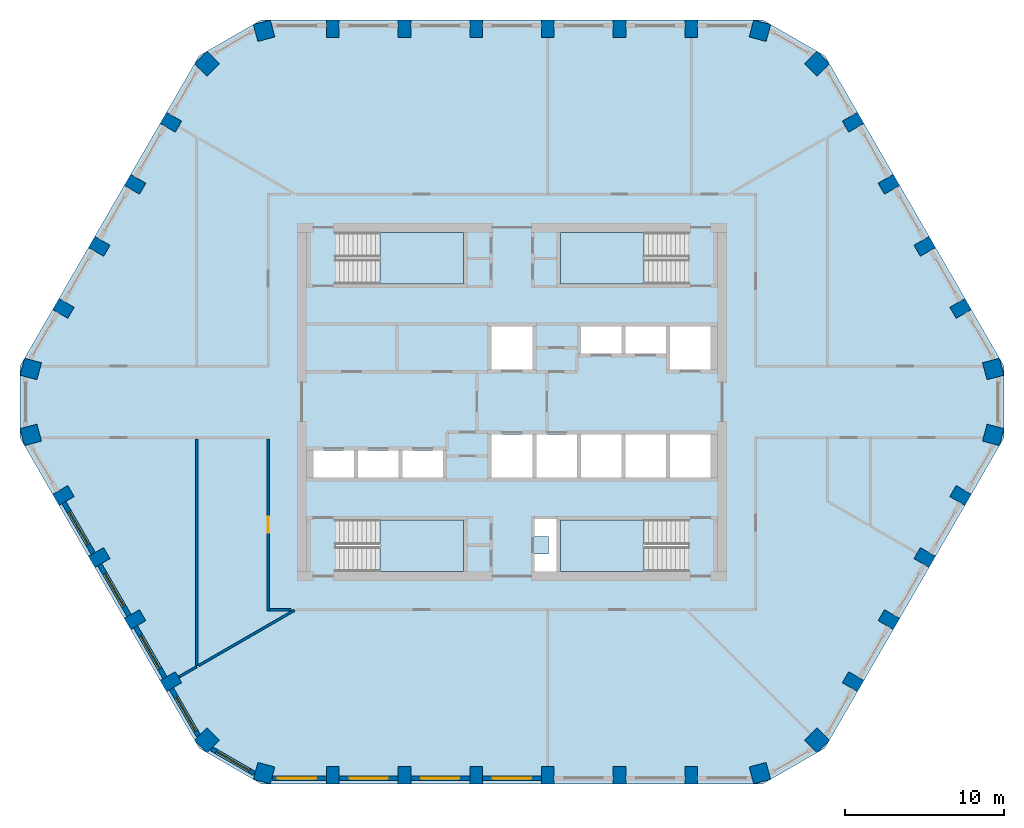
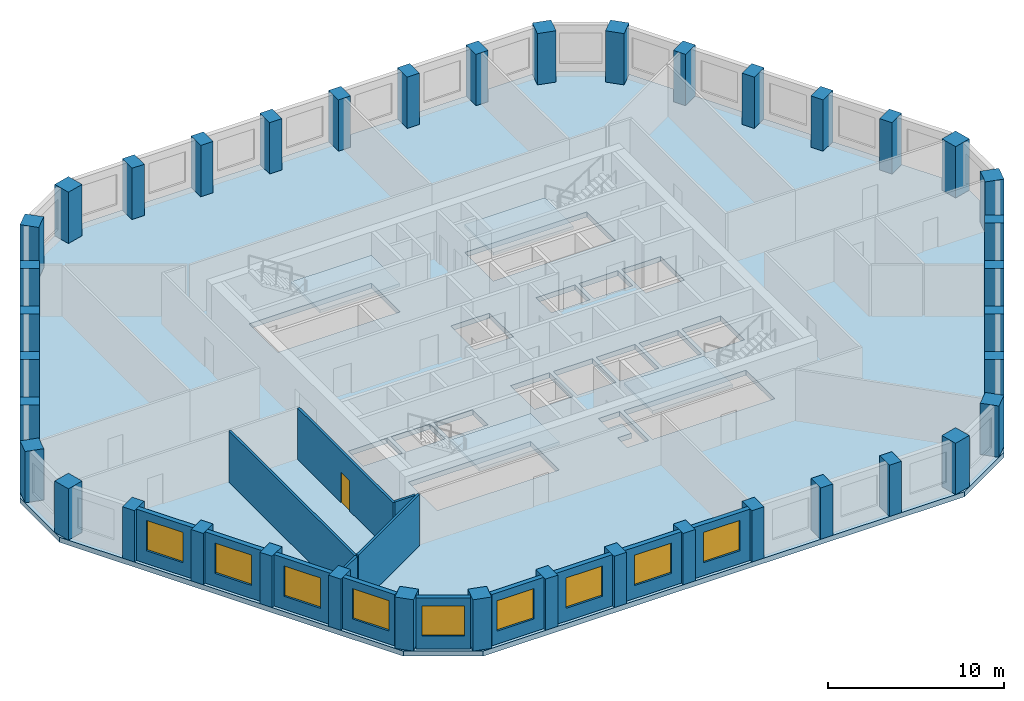
# One storey, part 1 of 8: 40 columns, 14 walls, 9 windows, 5 slabs, 1 door, 10 openings, 4 elements without a shape of their own.
"""IFC4 building model written with IfcOpenShell, lengths in metres."""

from ifc_helpers import new_model, si_unit, direction, frame, frame_2d, origin, origin_2d, place, context, subcontext, project, spatial, polyline, rectangle, outline, extrude, material, layer, layer_set, material_profile, profile_set, type_object, element, fill, aggregate, save


model = new_model("IFC4")

# Units and contexts
model_context = context("Model", 3, precision=1e-05, world=origin(), true_north=direction((0.0, 1.0)))
body_context = subcontext(model_context, "Body", "Model", "MODEL_VIEW")
ifc_project = project(units=[si_unit("LENGTHUNIT", "METRE"), si_unit("AREAUNIT", "SQUARE_METRE"), si_unit("VOLUMEUNIT", "CUBIC_METRE"), si_unit("PLANEANGLEUNIT", "RADIAN"), si_unit("MASSUNIT", "GRAM", prefix="KILO")], contexts=[model_context])

# Site, building, storey
site_placement = place(None, origin())
site = spatial("IfcSite", under=ifc_project, at=site_placement, CompositionType="ELEMENT")
building_placement = place(site_placement, origin())
building = spatial("IfcBuilding", under=site, at=building_placement, Name="Dhurran Vertical Campus", CompositionType="ELEMENT")
storey_placement = place(building_placement, frame((0.0, 0.0, 222.89990234375)))
storey = spatial("IfcBuildingStorey", under=building, at=storey_placement, Name="L55", CompositionType="ELEMENT", Elevation=222.89990234375)

# Columns
ifc_material_1 = material(Name="Concrete C50/60", Category="concrete")
ifc_material_profile_1 = material_profile(ifc_material_1, rectangle(XDim=1.10009765625, YDim=1.10009765625, at=origin_2d()), Name="RC 1100x1100")
ifc_profile_set_1 = profile_set([ifc_material_profile_1], Name="Concrete C50/60")
column_type_1 = type_object("IfcColumnType", Name="FR COL RC 1100x1100 C50/60", PredefinedType="COLUMN", material=ifc_profile_set_1)
for number, where, z_axis, x_axis, name in (
    (1, (-15.569580078125, -23.31201171875, 0.0), (0.0, 0.0, 1.0), (0.965925826289, -0.258819045103, 0.0), "Perimeter pier PP4.00"),
    (2, (15.569580078125, -23.31201171875, 0.0), (0.0, 0.0, 1.0), (0.965925826289, 0.258819045103, 0.0), "Perimeter pier PP4.07"),
    (3, (19.154052734375, -21.242431640625, 0.0), (0.0, 0.0, 1.0), (0.707106781187, 0.707106781187, 0.0), "Perimeter pier PP4.08"),
    (4, (30.223388671875, -2.069580078125, 0.0), (0.0, 0.0, 1.0), (0.258819045103, 0.965925826289, 0.0), "Perimeter pier PP4.13"),
    (5, (30.223388671875, 2.069580078125, 0.0), (0.0, 0.0, 1.0), (-0.258819045103, 0.965925826289, 0.0), "Perimeter pier PP4.14"),
    (6, (19.154052734375, 21.242431640625, 0.0), (0.0, 0.0, 1.0), (-0.707106781187, 0.707106781187, 0.0), "Perimeter pier PP4.19"),
    (7, (15.569580078125, 23.31201171875, 0.0), (0.0, 0.0, 1.0), (-0.965925826289, 0.258819045103, 0.0), "Perimeter pier PP4.20"),
    (8, (-15.569580078125, 23.31201171875, 0.0), (0.0, 0.0, 1.0), (-0.965925826289, -0.258819045103, 0.0), "Perimeter pier PP4.27"),
    (9, (-19.154052734375, 21.242431640625, 0.0), (0.0, 0.0, 1.0), (-0.707106781187, -0.707106781187, 0.0), "Perimeter pier PP4.28"),
    (10, (-30.223388671875, 2.069580078125, 0.0), (0.0, 0.0, 1.0), (-0.258819045103, -0.965925826289, 0.0), "Perimeter pier PP4.33"),
    (11, (-30.223388671875, -2.069580078125, 0.0), (0.0, 0.0, 1.0), (0.258819045103, -0.965925826289, 0.0), "Perimeter pier PP4.34"),
    (12, (-19.154052734375, -21.242431640625, 0.0), (0.0, 0.0, 1.0), (0.707106781187, -0.707106781187, 0.0), "Perimeter pier PP4.39"),
):
    element("IfcColumn", number, at=place(storey_placement, frame(where, z_axis=z_axis, x_axis=x_axis)), inside=storey, type_object=column_type_1, Name=name, PredefinedType="COLUMN", context=body_context, shape_type="SweptSolid", body=[
        extrude(rectangle(XDim=1.10009765625, YDim=1.10009765625, at=origin_2d()), origin(), (0.0, 0.0, 1.0), 3.550048828125),
    ])
ifc_material_2 = material(Name="Concrete C50/60", Category="concrete")
ifc_material_profile_2 = material_profile(ifc_material_2, rectangle(XDim=0.800048828125, YDim=1.10009765625, at=origin_2d()), Name="RC 800x1100")
ifc_profile_set_2 = profile_set([ifc_material_profile_2], Name="Concrete C50/60")
column_type_2 = type_object("IfcColumnType", Name="FR COL RC 800x1100 C50/60", PredefinedType="COLUMN", material=ifc_profile_set_2)
for number, where, z_axis, x_axis, name in (
    (13, (-11.25, -23.435546875, 0.0), (0.0, 0.0, 1.0), (1.0, 0.0, 0.0), "Perimeter pier PP4.01"),
    (14, (-6.75, -23.435546875, 0.0), (0.0, 0.0, 1.0), (1.0, 0.0, 0.0), "Perimeter pier PP4.02"),
    (15, (-2.25, -23.435546875, 0.0), (0.0, 0.0, 1.0), (1.0, 0.0, 0.0), "Perimeter pier PP4.03"),
    (16, (2.25, -23.435546875, 0.0), (0.0, 0.0, 1.0), (1.0, 0.0, 0.0), "Perimeter pier PP4.04"),
    (17, (6.75, -23.435546875, 0.0), (0.0, 0.0, 1.0), (1.0, 0.0, 0.0), "Perimeter pier PP4.05"),
    (18, (11.25, -23.435546875, 0.0), (0.0, 0.0, 1.0), (1.0, 0.0, 0.0), "Perimeter pier PP4.06"),
    (19, (21.4208984375, -17.5634765625, 0.0), (0.0, 0.0, 1.0), (0.5, 0.866025403784, 0.0), "Perimeter pier PP4.09"),
    (20, (23.6708984375, -13.666259765625, 0.0), (0.0, 0.0, 1.0), (0.5, 0.866025403784, 0.0), "Perimeter pier PP4.10"),
    (21, (25.9208984375, -9.769287109375, 0.0), (0.0, 0.0, 1.0), (0.5, 0.866025403784, 0.0), "Perimeter pier PP4.11"),
    (22, (28.1708984375, -5.8720703125, 0.0), (0.0, 0.0, 1.0), (0.5, 0.866025403784, 0.0), "Perimeter pier PP4.12"),
    (23, (28.1708984375, 5.8720703125, 0.0), (0.0, 0.0, 1.0), (-0.5, 0.866025403784, 0.0), "Perimeter pier PP4.15"),
    (24, (25.9208984375, 9.769287109375, 0.0), (0.0, 0.0, 1.0), (-0.5, 0.866025403784, 0.0), "Perimeter pier PP4.16"),
    (25, (23.6708984375, 13.666259765625, 0.0), (0.0, 0.0, 1.0), (-0.5, 0.866025403784, 0.0), "Perimeter pier PP4.17"),
    (26, (21.4208984375, 17.5634765625, 0.0), (0.0, 0.0, 1.0), (-0.5, 0.866025403784, 0.0), "Perimeter pier PP4.18"),
    (27, (11.25, 23.435546875, 0.0), (0.0, 0.0, 1.0), (-1.0, 0.0, 0.0), "Perimeter pier PP4.21"),
    (28, (6.75, 23.435546875, 0.0), (0.0, 0.0, 1.0), (-1.0, 0.0, 0.0), "Perimeter pier PP4.22"),
    (29, (2.25, 23.435546875, 0.0), (0.0, 0.0, 1.0), (-1.0, 0.0, 0.0), "Perimeter pier PP4.23"),
    (30, (-2.25, 23.435546875, 0.0), (0.0, 0.0, 1.0), (-1.0, 0.0, 0.0), "Perimeter pier PP4.24"),
    (31, (-6.75, 23.435546875, 0.0), (0.0, 0.0, 1.0), (-1.0, 0.0, 0.0), "Perimeter pier PP4.25"),
    (32, (-11.25, 23.435546875, 0.0), (0.0, 0.0, 1.0), (-1.0, 0.0, 0.0), "Perimeter pier PP4.26"),
    (33, (-21.4208984375, 17.5634765625, 0.0), (0.0, 0.0, 1.0), (-0.5, -0.866025403784, 0.0), "Perimeter pier PP4.29"),
    (34, (-23.6708984375, 13.666259765625, 0.0), (0.0, 0.0, 1.0), (-0.5, -0.866025403784, 0.0), "Perimeter pier PP4.30"),
    (35, (-25.9208984375, 9.769287109375, 0.0), (0.0, 0.0, 1.0), (-0.5, -0.866025403784, 0.0), "Perimeter pier PP4.31"),
    (36, (-28.1708984375, 5.8720703125, 0.0), (0.0, 0.0, 1.0), (-0.5, -0.866025403784, 0.0), "Perimeter pier PP4.32"),
    (37, (-28.1708984375, -5.8720703125, 0.0), (0.0, 0.0, 1.0), (0.5, -0.866025403784, 0.0), "Perimeter pier PP4.35"),
    (38, (-25.9208984375, -9.769287109375, 0.0), (0.0, 0.0, 1.0), (0.5, -0.866025403784, 0.0), "Perimeter pier PP4.36"),
    (39, (-23.6708984375, -13.666259765625, 0.0), (0.0, 0.0, 1.0), (0.5, -0.866025403784, 0.0), "Perimeter pier PP4.37"),
    (40, (-21.4208984375, -17.5634765625, 0.0), (0.0, 0.0, 1.0), (0.5, -0.866025403784, 0.0), "Perimeter pier PP4.38"),
):
    element("IfcColumn", number, at=place(storey_placement, frame(where, z_axis=z_axis, x_axis=x_axis)), inside=storey, type_object=column_type_2, Name=name, PredefinedType="COLUMN", context=body_context, shape_type="SweptSolid", body=[
        extrude(rectangle(XDim=0.800048828125, YDim=1.10009765625, at=origin_2d()), origin(), (0.0, 0.0, 1.0), 3.550048828125),
    ])

# Slab
ifc_material_3 = material(Name="Concrete C40/50", Category="concrete")
ifc_layer_1 = layer(ifc_material_3, 0.35009765625)
ifc_layer_set_1 = layer_set([ifc_layer_1], Name="Concrete C40/50")
slab_type_1 = type_object("IfcSlabType", Name="FR POST-TENSIONED FLAT SLAB 350", PredefinedType="FLOOR", material=ifc_layer_set_1)
slab_1_placement = place(storey_placement, frame((0.0, 0.0, -0.349853515625)))
element("IfcSlab", 41, at=slab_1_placement, inside=storey, type_object=slab_type_1, Name="Floor slab L55", PredefinedType="FLOOR", context=body_context, shape_type="SweptSolid", body=[
    extrude(outline(polyline([(-15.75, -23.985595703125), (15.75, -23.985595703125), (19.647216796875, -21.735595703125), (30.897216796875, -2.25), (30.897216796875, 2.25), (19.647216796875, 21.735595703125), (15.75, 23.985595703125), (-15.75, 23.985595703125), (-19.647216796875, 21.735595703125), (-30.897216796875, 2.25), (-30.897216796875, -2.25), (-19.647216796875, -21.735595703125), (-15.75, -23.985595703125)]), holes=[polyline([(-1.27490234375, 2.050048828125), (1.27490234375, 2.050048828125), (1.27490234375, 4.75), (-1.27490234375, 4.75), (-1.27490234375, 2.050048828125)]), polyline([(9.925048828125, 2.050048828125), (12.47509765625, 2.050048828125), (12.47509765625, 4.75), (9.925048828125, 4.75), (9.925048828125, 2.050048828125)]), polyline([(-1.27490234375, -4.75), (1.27490234375, -4.75), (1.27490234375, -2.050048828125), (-1.27490234375, -2.050048828125), (-1.27490234375, -4.75)]), polyline([(1.52490234375, -4.75), (4.074951171875, -4.75), (4.074951171875, -2.050048828125), (1.52490234375, -2.050048828125), (1.52490234375, -4.75)]), polyline([(4.324951171875, -4.75), (6.875, -4.75), (6.875, -2.050048828125), (4.324951171875, -2.050048828125), (4.324951171875, -4.75)]), polyline([(7.125, -4.75), (9.675048828125, -4.75), (9.675048828125, -2.050048828125), (7.125, -2.050048828125), (7.125, -4.75)]), polyline([(9.925048828125, -4.75), (12.47509765625, -4.75), (12.47509765625, -2.050048828125), (9.925048828125, -2.050048828125), (9.925048828125, -4.75)]), polyline([(4.324951171875, 3.050048828125), (6.875, 3.050048828125), (6.875, 4.75), (4.324951171875, 4.75), (4.324951171875, 3.050048828125)]), polyline([(7.125, 3.050048828125), (9.675048828125, 3.050048828125), (9.675048828125, 4.75), (7.125, 4.75), (7.125, 3.050048828125)]), polyline([(-12.47509765625, -4.75), (-9.925048828125, -4.75), (-9.925048828125, -3.050048828125), (-12.47509765625, -3.050048828125), (-12.47509765625, -4.75)]), polyline([(-9.675048828125, -4.75), (-7.125, -4.75), (-7.125, -3.050048828125), (-9.675048828125, -3.050048828125), (-9.675048828125, -4.75)]), polyline([(-6.875, -4.75), (-4.324951171875, -4.75), (-4.324951171875, -3.050048828125), (-6.875, -3.050048828125), (-6.875, -4.75)]), polyline([(-11.050048828125, 7.39990234375), (-3.050048828125, 7.39990234375), (-3.050048828125, 10.64990234375), (-11.050048828125, 10.64990234375), (-11.050048828125, 7.39990234375)]), polyline([(3.050048828125, 7.39990234375), (11.050048828125, 7.39990234375), (11.050048828125, 10.64990234375), (3.050048828125, 10.64990234375), (3.050048828125, 7.39990234375)]), polyline([(-11.050048828125, -10.64990234375), (-3.050048828125, -10.64990234375), (-3.050048828125, -7.39990234375), (-11.050048828125, -7.39990234375), (-11.050048828125, -10.64990234375)]), polyline([(3.050048828125, -10.64990234375), (11.050048828125, -10.64990234375), (11.050048828125, -7.39990234375), (3.050048828125, -7.39990234375), (3.050048828125, -10.64990234375)]), polyline([(2.800048828125, -10.64990234375), (1.39990234375, -10.64990234375), (1.39990234375, -9.550048828125), (2.300048828125, -9.550048828125), (2.300048828125, -8.449951171875), (1.39990234375, -8.449951171875), (1.39990234375, -7.35009765625), (2.800048828125, -7.35009765625), (2.800048828125, -10.64990234375)])]), origin(), (0.0, 0.0, 1.0), 0.349853515625),
])

# Stair, slab
ifc_material_4 = material(Name="Concrete C40/50", Category="concrete")
stair_type = type_object("IfcStairType", Name="co-ST-CORE", PredefinedType="HALF_TURN_STAIR", material=ifc_material_4)
stair_1_placement = place(storey_placement, origin())
stair_1 = element("IfcStair", 42, at=stair_1_placement, inside=storey, type_object=stair_type, Name="L55 Protected exit stair ST1", PredefinedType="HALF_TURN_STAIR")
ifc_material_5 = material(Name="Concrete C40/50", Category="concrete")
ifc_layer_2 = layer(ifc_material_5, 0.199951171875)
ifc_layer_set_2 = layer_set([ifc_layer_2], Name="Concrete C40/50")
slab_type_2 = type_object("IfcSlabType", Name="co-SL-LANDING", PredefinedType="LANDING", material=ifc_layer_set_2)
slab_2_placement = place(storey_placement, frame((0.0, 0.0, 1.75)))
slab_2 = element("IfcSlab", 43, at=slab_2_placement, type_object=slab_type_2, Name="ST1 landing 1", PredefinedType="LANDING", context=body_context, shape_type="SweptSolid", body=[
    extrude(outline(polyline([(-8.300048828125, 7.39990234375), (-3.050048828125, 7.39990234375), (-3.050048828125, 10.64990234375), (-8.300048828125, 10.64990234375), (-8.300048828125, 7.39990234375)])), origin(), (0.0, 0.0, 1.0), 0.2001953125),
])
aggregate(stair_1, [slab_2])

stair_2_placement = place(storey_placement, origin())
stair_2 = element("IfcStair", 44, at=stair_2_placement, inside=storey, type_object=stair_type, Name="L55 Protected exit stair ST2", PredefinedType="HALF_TURN_STAIR")
slab_3_placement = place(storey_placement, frame((0.0, 0.0, 1.75)))
slab_3 = element("IfcSlab", 45, at=slab_3_placement, type_object=slab_type_2, Name="ST2 landing 1", PredefinedType="LANDING", context=body_context, shape_type="SweptSolid", body=[
    extrude(outline(polyline([(8.300048828125, 10.64990234375), (3.050048828125, 10.64990234375), (3.050048828125, 7.39990234375), (8.300048828125, 7.39990234375), (8.300048828125, 10.64990234375)])), origin(), (0.0, 0.0, 1.0), 0.2001953125),
])
aggregate(stair_2, [slab_3])

stair_3_placement = place(storey_placement, origin())
stair_3 = element("IfcStair", 46, at=stair_3_placement, inside=storey, type_object=stair_type, Name="L55 Protected exit stair ST3", PredefinedType="HALF_TURN_STAIR")
slab_4_placement = place(storey_placement, frame((0.0, 0.0, 1.75)))
slab_4 = element("IfcSlab", 47, at=slab_4_placement, type_object=slab_type_2, Name="ST3 landing 1", PredefinedType="LANDING", context=body_context, shape_type="SweptSolid", body=[
    extrude(outline(polyline([(-8.300048828125, -10.64990234375), (-3.050048828125, -10.64990234375), (-3.050048828125, -7.39990234375), (-8.300048828125, -7.39990234375), (-8.300048828125, -10.64990234375)])), origin(), (0.0, 0.0, 1.0), 0.2001953125),
])
aggregate(stair_3, [slab_4])

stair_4_placement = place(storey_placement, origin())
stair_4 = element("IfcStair", 48, at=stair_4_placement, inside=storey, type_object=stair_type, Name="L55 Protected exit stair ST4", PredefinedType="HALF_TURN_STAIR")
slab_5_placement = place(storey_placement, frame((0.0, 0.0, 1.75)))
slab_5 = element("IfcSlab", 49, at=slab_5_placement, type_object=slab_type_2, Name="ST4 landing 1", PredefinedType="LANDING", context=body_context, shape_type="SweptSolid", body=[
    extrude(outline(polyline([(8.300048828125, -7.39990234375), (3.050048828125, -7.39990234375), (3.050048828125, -10.64990234375), (8.300048828125, -10.64990234375), (8.300048828125, -7.39990234375)])), origin(), (0.0, 0.0, 1.0), 0.2001953125),
])
aggregate(stair_4, [slab_5])

# Wall, opening, window
ifc_material_6 = material(Name="Precast concrete C50/60", Category="concrete")
ifc_layer_3 = layer(ifc_material_6, 0.300048828125)
ifc_layer_set_3 = layer_set([ifc_layer_3], Name="Precast concrete C50/60")
wall_type_1 = type_object("IfcWallType", Name="Precast spandrel wall 300", PredefinedType="SOLIDWALL", material=ifc_layer_set_3)
wall_1_placement = place(storey_placement, frame((-15.04638671875, -23.635498046875, 0.0), z_axis=(0.0, 0.0, 1.0), x_axis=(1.0, 0.0, 0.0)))
wall_1 = element("IfcWall", 50, at=wall_1_placement, inside=storey, type_object=wall_type_1, Name="EW1 L55.00", PredefinedType="SOLIDWALL", context=body_context, shape_type="SweptSolid", body=[
    extrude(rectangle(XDim=3.39599609375, YDim=0.300048828125, at=frame_2d((1.697998046875, 0.0))), origin(), (0.0, 0.0, 1.0), 3.550048828125),
])
opening_1_placement = place(wall_1_placement, frame((0.34619140625, 0.0, 0.89990234375)))
opening_1 = element("IfcOpeningElement", 51, at=opening_1_placement, cuts=wall_1, Name="Opening WT1", PredefinedType="OPENING", context=body_context, shape_type="SweptSolid", body=[
    extrude(rectangle(XDim=2.39990234375, YDim=2.10009765625, at=frame_2d((1.199951171875, 1.050048828125))), frame((0.0, 0.159912109375, 0.0), z_axis=(0.0, -1.0, 0.0), x_axis=(1.0, 0.0, 0.0)), (0.0, 0.0, 1.0), 0.320068359375),
])
ifc_material_7 = material(Name="Aluminium frame with solar-control glass", Category="aluminium")
window_type = type_object("IfcWindowType", Name="Punched window 2400 x 2100", PartitioningType="SINGLE_PANEL", PredefinedType="WINDOW", material=ifc_material_7)
window_1_placement = place(opening_1_placement, origin())
window_1 = element("IfcWindow", 52, at=window_1_placement, inside=storey, type_object=window_type, Name="WT1 L55.00", OverallHeight=2.10009765625, OverallWidth=2.39990234375, PartitioningType="SINGLE_PANEL", PredefinedType="WINDOW", context=body_context, shape_type="SweptSolid", body=[
    extrude(rectangle(XDim=2.39990234375, YDim=2.10009765625, at=frame_2d((1.199951171875, 1.050048828125))), frame((0.0, 0.030029296875, 0.0), z_axis=(0.0, -1.0, 0.0), x_axis=(1.0, 0.0, 0.0)), (0.0, 0.0, 1.0), 0.06005859375),
])
fill(opening_1, window_1)

wall_2_placement = place(storey_placement, frame((-10.849609375, -23.635498046875, 0.0), z_axis=(0.0, 0.0, 1.0), x_axis=(1.0, 0.0, 0.0)))
wall_2 = element("IfcWall", 53, at=wall_2_placement, inside=storey, type_object=wall_type_1, Name="EW1 L55.01", PredefinedType="SOLIDWALL", context=body_context, shape_type="SweptSolid", body=[
    extrude(rectangle(XDim=3.69921875, YDim=0.300048828125, at=frame_2d((1.849609375, 0.0))), origin(), (0.0, 0.0, 1.0), 3.550048828125),
])
opening_2_placement = place(wall_2_placement, frame((0.6494140625, 0.0, 0.89990234375)))
opening_2 = element("IfcOpeningElement", 54, at=opening_2_placement, cuts=wall_2, Name="Opening WT1", PredefinedType="OPENING", context=body_context, shape_type="SweptSolid", body=[
    extrude(rectangle(XDim=2.39990234375, YDim=2.10009765625, at=frame_2d((1.199951171875, 1.050048828125))), frame((0.0, 0.159912109375, 0.0), z_axis=(0.0, -1.0, 0.0), x_axis=(1.0, 0.0, 0.0)), (0.0, 0.0, 1.0), 0.320068359375),
])
window_2_placement = place(opening_2_placement, origin())
window_2 = element("IfcWindow", 55, at=window_2_placement, inside=storey, type_object=window_type, Name="WT1 L55.01", OverallHeight=2.10009765625, OverallWidth=2.39990234375, PartitioningType="SINGLE_PANEL", PredefinedType="WINDOW", context=body_context, shape_type="SweptSolid", body=[
    extrude(rectangle(XDim=2.39990234375, YDim=2.10009765625, at=frame_2d((1.199951171875, 1.050048828125))), frame((0.0, 0.030029296875, 0.0), z_axis=(0.0, -1.0, 0.0), x_axis=(1.0, 0.0, 0.0)), (0.0, 0.0, 1.0), 0.06005859375),
])
fill(opening_2, window_2)

wall_3_placement = place(storey_placement, frame((-6.349609375, -23.635498046875, 0.0), z_axis=(0.0, 0.0, 1.0), x_axis=(1.0, 0.0, 0.0)))
wall_3 = element("IfcWall", 56, at=wall_3_placement, inside=storey, type_object=wall_type_1, Name="EW1 L55.02", PredefinedType="SOLIDWALL", context=body_context, shape_type="SweptSolid", body=[
    extrude(rectangle(XDim=3.69921875, YDim=0.300048828125, at=frame_2d((1.849609375, 0.0))), origin(), (0.0, 0.0, 1.0), 3.550048828125),
])
opening_3_placement = place(wall_3_placement, frame((0.6494140625, 0.0, 0.89990234375)))
opening_3 = element("IfcOpeningElement", 57, at=opening_3_placement, cuts=wall_3, Name="Opening WT1", PredefinedType="OPENING", context=body_context, shape_type="SweptSolid", body=[
    extrude(rectangle(XDim=2.39990234375, YDim=2.10009765625, at=frame_2d((1.199951171875, 1.050048828125))), frame((0.0, 0.159912109375, 0.0), z_axis=(0.0, -1.0, 0.0), x_axis=(1.0, 0.0, 0.0)), (0.0, 0.0, 1.0), 0.320068359375),
])
window_3_placement = place(opening_3_placement, origin())
window_3 = element("IfcWindow", 58, at=window_3_placement, inside=storey, type_object=window_type, Name="WT1 L55.02", OverallHeight=2.10009765625, OverallWidth=2.39990234375, PartitioningType="SINGLE_PANEL", PredefinedType="WINDOW", context=body_context, shape_type="SweptSolid", body=[
    extrude(rectangle(XDim=2.39990234375, YDim=2.10009765625, at=frame_2d((1.199951171875, 1.050048828125))), frame((0.0, 0.030029296875, 0.0), z_axis=(0.0, -1.0, 0.0), x_axis=(1.0, 0.0, 0.0)), (0.0, 0.0, 1.0), 0.06005859375),
])
fill(opening_3, window_3)

wall_4_placement = place(storey_placement, frame((-1.849609375, -23.635498046875, 0.0), z_axis=(0.0, 0.0, 1.0), x_axis=(1.0, 0.0, 0.0)))
wall_4 = element("IfcWall", 59, at=wall_4_placement, inside=storey, type_object=wall_type_1, Name="EW1 L55.03", PredefinedType="SOLIDWALL", context=body_context, shape_type="SweptSolid", body=[
    extrude(rectangle(XDim=3.69921875, YDim=0.300048828125, at=frame_2d((1.849609375, 0.0))), origin(), (0.0, 0.0, 1.0), 3.550048828125),
])
opening_4_placement = place(wall_4_placement, frame((0.6494140625, 0.0, 0.89990234375)))
opening_4 = element("IfcOpeningElement", 60, at=opening_4_placement, cuts=wall_4, Name="Opening WT1", PredefinedType="OPENING", context=body_context, shape_type="SweptSolid", body=[
    extrude(rectangle(XDim=2.39990234375, YDim=2.10009765625, at=frame_2d((1.199951171875, 1.050048828125))), frame((0.0, 0.159912109375, 0.0), z_axis=(0.0, -1.0, 0.0), x_axis=(1.0, 0.0, 0.0)), (0.0, 0.0, 1.0), 0.320068359375),
])
window_4_placement = place(opening_4_placement, origin())
window_4 = element("IfcWindow", 61, at=window_4_placement, inside=storey, type_object=window_type, Name="WT1 L55.03", OverallHeight=2.10009765625, OverallWidth=2.39990234375, PartitioningType="SINGLE_PANEL", PredefinedType="WINDOW", context=body_context, shape_type="SweptSolid", body=[
    extrude(rectangle(XDim=2.39990234375, YDim=2.10009765625, at=frame_2d((1.199951171875, 1.050048828125))), frame((0.0, 0.030029296875, 0.0), z_axis=(0.0, -1.0, 0.0), x_axis=(1.0, 0.0, 0.0)), (0.0, 0.0, 1.0), 0.06005859375),
])
fill(opening_4, window_4)

wall_5_placement = place(storey_placement, frame((-28.143798828125, -6.319091796875, 0.0), z_axis=(0.0, 0.0, 1.0), x_axis=(0.500029062817, -0.866008623709, 0.0)))
wall_5 = element("IfcWall", 62, at=wall_5_placement, inside=storey, type_object=wall_type_1, Name="EW1 L55.35", PredefinedType="SOLIDWALL", context=body_context, shape_type="SweptSolid", body=[
    extrude(rectangle(XDim=3.698974609375, YDim=0.300048828125, at=frame_2d((1.849609375, 0.0))), origin(), (0.0, 0.0, 1.0), 3.550048828125),
])
opening_5_placement = place(wall_5_placement, frame((0.6494140625, 0.0, 0.89990234375)))
opening_5 = element("IfcOpeningElement", 63, at=opening_5_placement, cuts=wall_5, Name="Opening WT1", PredefinedType="OPENING", context=body_context, shape_type="SweptSolid", body=[
    extrude(rectangle(XDim=2.39990234375, YDim=2.10009765625, at=frame_2d((1.199951171875, 1.050048828125))), frame((0.0, 0.159912109375, 0.0), z_axis=(0.0, -1.0, 0.0), x_axis=(1.0, 0.0, 0.0)), (0.0, 0.0, 1.0), 0.320068359375),
])
window_5_placement = place(opening_5_placement, origin())
window_5 = element("IfcWindow", 64, at=window_5_placement, inside=storey, type_object=window_type, Name="WT1 L55.35", OverallHeight=2.10009765625, OverallWidth=2.39990234375, PartitioningType="SINGLE_PANEL", PredefinedType="WINDOW", context=body_context, shape_type="SweptSolid", body=[
    extrude(rectangle(XDim=2.39990234375, YDim=2.10009765625, at=frame_2d((1.199951171875, 1.050048828125))), frame((0.0, 0.030029296875, 0.0), z_axis=(0.0, -1.0, 0.0), x_axis=(1.0, 0.0, 0.0)), (0.0, 0.0, 1.0), 0.06005859375),
])
fill(opening_5, window_5)

wall_6_placement = place(storey_placement, frame((-25.893798828125, -10.216064453125, 0.0), z_axis=(0.0, 0.0, 1.0), x_axis=(0.500029062817, -0.866008623709, 0.0)))
wall_6 = element("IfcWall", 65, at=wall_6_placement, inside=storey, type_object=wall_type_1, Name="EW1 L55.36", PredefinedType="SOLIDWALL", context=body_context, shape_type="SweptSolid", body=[
    extrude(rectangle(XDim=3.698974609375, YDim=0.300048828125, at=frame_2d((1.849609375, 0.0))), origin(), (0.0, 0.0, 1.0), 3.550048828125),
])
opening_6_placement = place(wall_6_placement, frame((0.6494140625, 0.0, 0.89990234375)))
opening_6 = element("IfcOpeningElement", 66, at=opening_6_placement, cuts=wall_6, Name="Opening WT1", PredefinedType="OPENING", context=body_context, shape_type="SweptSolid", body=[
    extrude(rectangle(XDim=2.39990234375, YDim=2.10009765625, at=frame_2d((1.199951171875, 1.050048828125))), frame((0.0, 0.159912109375, 0.0), z_axis=(0.0, -1.0, 0.0), x_axis=(1.0, 0.0, 0.0)), (0.0, 0.0, 1.0), 0.320068359375),
])
window_6_placement = place(opening_6_placement, origin())
window_6 = element("IfcWindow", 67, at=window_6_placement, inside=storey, type_object=window_type, Name="WT1 L55.36", OverallHeight=2.10009765625, OverallWidth=2.39990234375, PartitioningType="SINGLE_PANEL", PredefinedType="WINDOW", context=body_context, shape_type="SweptSolid", body=[
    extrude(rectangle(XDim=2.39990234375, YDim=2.10009765625, at=frame_2d((1.199951171875, 1.050048828125))), frame((0.0, 0.030029296875, 0.0), z_axis=(0.0, -1.0, 0.0), x_axis=(1.0, 0.0, 0.0)), (0.0, 0.0, 1.0), 0.06005859375),
])
fill(opening_6, window_6)

wall_7_placement = place(storey_placement, frame((-23.643798828125, -14.11328125, 0.0), z_axis=(0.0, 0.0, 1.0), x_axis=(0.500029062817, -0.866008623709, 0.0)))
wall_7 = element("IfcWall", 68, at=wall_7_placement, inside=storey, type_object=wall_type_1, Name="EW1 L55.37", PredefinedType="SOLIDWALL", context=body_context, shape_type="SweptSolid", body=[
    extrude(rectangle(XDim=3.698974609375, YDim=0.300048828125, at=frame_2d((1.849609375, 0.0))), origin(), (0.0, 0.0, 1.0), 3.550048828125),
])
opening_7_placement = place(wall_7_placement, frame((0.6494140625, 0.0, 0.89990234375)))
opening_7 = element("IfcOpeningElement", 69, at=opening_7_placement, cuts=wall_7, Name="Opening WT1", PredefinedType="OPENING", context=body_context, shape_type="SweptSolid", body=[
    extrude(rectangle(XDim=2.39990234375, YDim=2.10009765625, at=frame_2d((1.199951171875, 1.050048828125))), frame((0.0, 0.159912109375, 0.0), z_axis=(0.0, -1.0, 0.0), x_axis=(1.0, 0.0, 0.0)), (0.0, 0.0, 1.0), 0.320068359375),
])
window_7_placement = place(opening_7_placement, origin())
window_7 = element("IfcWindow", 70, at=window_7_placement, inside=storey, type_object=window_type, Name="WT1 L55.37", OverallHeight=2.10009765625, OverallWidth=2.39990234375, PartitioningType="SINGLE_PANEL", PredefinedType="WINDOW", context=body_context, shape_type="SweptSolid", body=[
    extrude(rectangle(XDim=2.39990234375, YDim=2.10009765625, at=frame_2d((1.199951171875, 1.050048828125))), frame((0.0, 0.030029296875, 0.0), z_axis=(0.0, -1.0, 0.0), x_axis=(1.0, 0.0, 0.0)), (0.0, 0.0, 1.0), 0.06005859375),
])
fill(opening_7, window_7)

wall_8_placement = place(storey_placement, frame((-21.393798828125, -18.01025390625, 0.0), z_axis=(0.0, 0.0, 1.0), x_axis=(0.500012868213, -0.866017974191, 0.0)))
wall_8 = element("IfcWall", 71, at=wall_8_placement, inside=storey, type_object=wall_type_1, Name="EW1 L55.38", PredefinedType="SOLIDWALL", context=body_context, shape_type="SweptSolid", body=[
    extrude(rectangle(XDim=3.39599609375, YDim=0.300048828125, at=frame_2d((1.697998046875, 0.0))), origin(), (0.0, 0.0, 1.0), 3.550048828125),
])
opening_8_placement = place(wall_8_placement, frame((0.6494140625, 0.0, 0.89990234375)))
opening_8 = element("IfcOpeningElement", 72, at=opening_8_placement, cuts=wall_8, Name="Opening WT1", PredefinedType="OPENING", context=body_context, shape_type="SweptSolid", body=[
    extrude(rectangle(XDim=2.39990234375, YDim=2.10009765625, at=frame_2d((1.199951171875, 1.050048828125))), frame((0.0, 0.159912109375, 0.0), z_axis=(0.0, -1.0, 0.0), x_axis=(1.0, 0.0, 0.0)), (0.0, 0.0, 1.0), 0.320068359375),
])
window_8_placement = place(opening_8_placement, origin())
window_8 = element("IfcWindow", 73, at=window_8_placement, inside=storey, type_object=window_type, Name="WT1 L55.38", OverallHeight=2.10009765625, OverallWidth=2.39990234375, PartitioningType="SINGLE_PANEL", PredefinedType="WINDOW", context=body_context, shape_type="SweptSolid", body=[
    extrude(rectangle(XDim=2.39990234375, YDim=2.10009765625, at=frame_2d((1.199951171875, 1.050048828125))), frame((0.0, 0.030029296875, 0.0), z_axis=(0.0, -1.0, 0.0), x_axis=(1.0, 0.0, 0.0)), (0.0, 0.0, 1.0), 0.06005859375),
])
fill(opening_8, window_8)

wall_9_placement = place(storey_placement, frame((-18.86279296875, -21.7841796875, 0.0), z_axis=(0.0, 0.0, 1.0), x_axis=(0.865994975416, -0.500052699777, 0.0)))
wall_9 = element("IfcWall", 74, at=wall_9_placement, inside=storey, type_object=wall_type_1, Name="EW1 L55.39", PredefinedType="SOLIDWALL", context=body_context, shape_type="SweptSolid", body=[
    extrude(rectangle(XDim=3.093017578125, YDim=0.300048828125, at=frame_2d((1.54638671875, 0.0))), origin(), (0.0, 0.0, 1.0), 3.550048828125),
])
opening_9_placement = place(wall_9_placement, frame((0.34619140625, 0.0, 0.89990234375)))
opening_9 = element("IfcOpeningElement", 75, at=opening_9_placement, cuts=wall_9, Name="Opening WT1", PredefinedType="OPENING", context=body_context, shape_type="SweptSolid", body=[
    extrude(rectangle(XDim=2.39990234375, YDim=2.10009765625, at=frame_2d((1.199951171875, 1.050048828125))), frame((0.0, 0.159912109375, 0.0), z_axis=(0.0, -1.0, 0.0), x_axis=(1.0, 0.0, 0.0)), (0.0, 0.0, 1.0), 0.320068359375),
])
window_9_placement = place(opening_9_placement, origin())
window_9 = element("IfcWindow", 76, at=window_9_placement, inside=storey, type_object=window_type, Name="WT1 L55.39", OverallHeight=2.10009765625, OverallWidth=2.39990234375, PartitioningType="SINGLE_PANEL", PredefinedType="WINDOW", context=body_context, shape_type="SweptSolid", body=[
    extrude(rectangle(XDim=2.39990234375, YDim=2.10009765625, at=frame_2d((1.199951171875, 1.050048828125))), frame((0.0, 0.030029296875, 0.0), z_axis=(0.0, -1.0, 0.0), x_axis=(1.0, 0.0, 0.0)), (0.0, 0.0, 1.0), 0.06005859375),
])
fill(opening_9, window_9)

# Wall, opening, door
ifc_material_8 = material(Name="Gypsum board corridor wall on steel studs", Category="steel")
ifc_layer_4 = layer(ifc_material_8, 0.14990234375)
ifc_layer_set_4 = layer_set([ifc_layer_4], Name="Gypsum board corridor wall on steel studs")
wall_type_2 = type_object("IfcWallType", Name="fl-CW-150 corridor wall", PredefinedType="PARTITIONING", material=ifc_layer_set_4)
wall_10_placement = place(storey_placement, frame((-15.300048828125, -2.324951171875, 0.0), z_axis=(0.0, 0.0, 1.0), x_axis=(0.0, -1.0, 0.0)))
wall_10 = element("IfcWall", 77, at=wall_10_placement, inside=storey, type_object=wall_type_2, Name="Partition 55-11", PredefinedType="PARTITIONING", context=body_context, shape_type="SweptSolid", body=[
    extrude(rectangle(XDim=10.800048828125, YDim=0.14990234375, at=frame_2d((5.39990234375, 0.0))), origin(), (0.0, 0.0, 1.0), 3.550048828125),
])
opening_10_placement = place(wall_10_placement, frame((4.89990234375, 0.0, 0.0)))
opening_10 = element("IfcOpeningElement", 78, at=opening_10_placement, cuts=wall_10, Name="Opening T16.03", PredefinedType="OPENING", context=body_context, shape_type="SweptSolid", body=[
    extrude(rectangle(XDim=1.0, YDim=2.10009765625, at=frame_2d((0.5, 1.050048828125))), frame((0.0, 0.0849609375, 0.0), z_axis=(0.0, -1.0, 0.0), x_axis=(1.0, 0.0, 0.0)), (0.0, 0.0, 1.0), 0.169921875),
])
ifc_material_9 = material(Name="Solid-core timber door set, fire-rated", Category="wood")
door_type = type_object("IfcDoorType", Name="fl-D-1000x2100", OperationType="SINGLE_SWING_LEFT", PredefinedType="DOOR", material=ifc_material_9)
door_placement = place(opening_10_placement, origin())
door = element("IfcDoor", 79, at=door_placement, inside=storey, type_object=door_type, Name="Door 55.03", OperationType="SINGLE_SWING_RIGHT", OverallHeight=2.10009765625, OverallWidth=1.0, PredefinedType="DOOR", context=body_context, shape_type="SweptSolid", body=[
    extrude(rectangle(XDim=1.0, YDim=2.10009765625, at=frame_2d((0.5, 1.050048828125))), frame((0.0, 0.02490234375, 0.0), z_axis=(0.0, -1.0, 0.0), x_axis=(1.0, 0.0, 0.0)), (0.0, 0.0, 1.0), 0.050048828125),
])
fill(opening_10, door)

# Walls
wall_11_placement = place(storey_placement, frame((-15.22509765625, -13.050048828125, 0.0), z_axis=(0.0, 0.0, 1.0), x_axis=(1.0, 0.0, 0.0)))
element("IfcWall", 80, at=wall_11_placement, inside=storey, type_object=wall_type_2, Name="Partition 55-12", PredefinedType="PARTITIONING", context=body_context, shape_type="SweptSolid", body=[
    extrude(rectangle(XDim=1.34716796875, YDim=0.14990234375, at=frame_2d((0.673583984375, 0.0))), origin(), (0.0, 0.0, 1.0), 3.550048828125),
])
ifc_material_10 = material(Name="Gypsum board partition on steel studs", Category="steel")
ifc_layer_5 = layer(ifc_material_10, 0.14990234375)
ifc_layer_set_5 = layer_set([ifc_layer_5], Name="Gypsum board partition on steel studs")
wall_type_3 = type_object("IfcWallType", Name="fl-PW-150 fixed partition", PredefinedType="PARTITIONING", material=ifc_layer_set_5)
wall_12_placement = place(storey_placement, frame((-19.800048828125, -16.6279296875, 0.0), z_axis=(0.0, 0.0, 1.0), x_axis=(-0.866157475642, -0.499771175029, 0.0)))
element("IfcWall", 81, at=wall_12_placement, inside=storey, type_object=wall_type_3, Name="Partition 55-03", PredefinedType="PARTITIONING", context=body_context, shape_type="SweptSolid", body=[
    extrude(rectangle(XDim=1.30126953125, YDim=0.14990234375, at=frame_2d((0.650634765625, 0.0))), origin(), (0.0, 0.0, 1.0), 3.550048828125),
])
wall_13_placement = place(storey_placement, frame((-19.800048828125, -2.324951171875, 0.0), z_axis=(0.0, 0.0, 1.0), x_axis=(0.0, -1.0, 0.0)))
element("IfcWall", 82, at=wall_13_placement, inside=storey, type_object=wall_type_3, Name="Partition 55-05", PredefinedType="PARTITIONING", context=body_context, shape_type="SweptSolid", body=[
    extrude(rectangle(XDim=14.22802734375, YDim=0.14990234375, at=frame_2d((7.114013671875, 0.0))), origin(), (0.0, 0.0, 1.0), 3.550048828125),
])
wall_14_placement = place(storey_placement, frame((-13.66796875, -13.08740234375, 0.0), z_axis=(0.0, 0.0, 1.0), x_axis=(-0.866012448988, -0.500022437694, 0.0)))
element("IfcWall", 83, at=wall_14_placement, inside=storey, type_object=wall_type_3, Name="Partition 55-06", PredefinedType="PARTITIONING", context=body_context, shape_type="SweptSolid", body=[
    extrude(rectangle(XDim=6.950927734375, YDim=0.14990234375, at=frame_2d((3.4755859375, 0.0))), origin(), (0.0, 0.0, 1.0), 3.550048828125),
])

save(model, "model.ifc")
